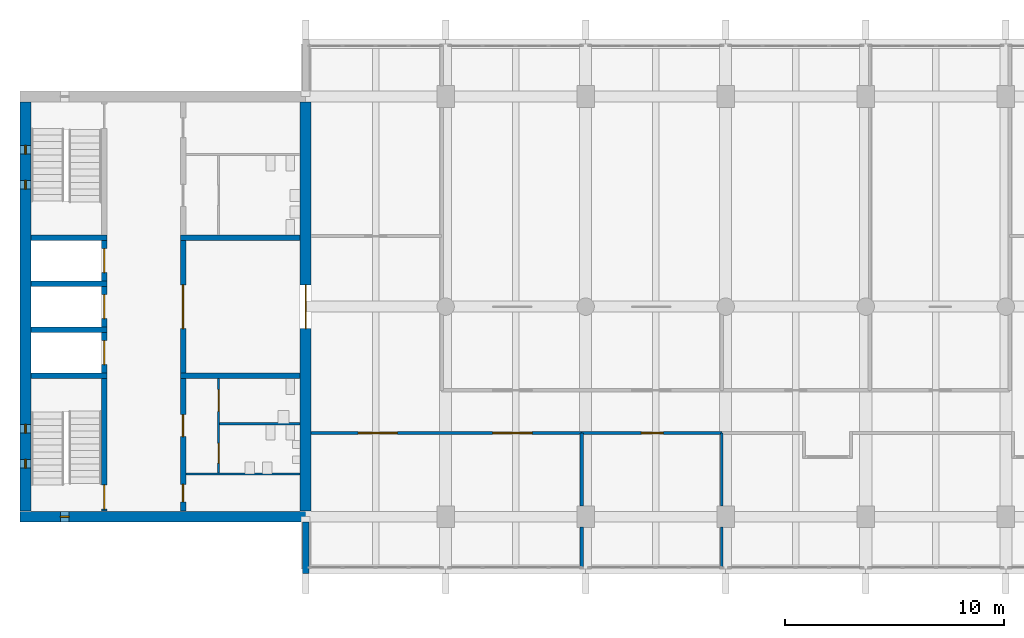
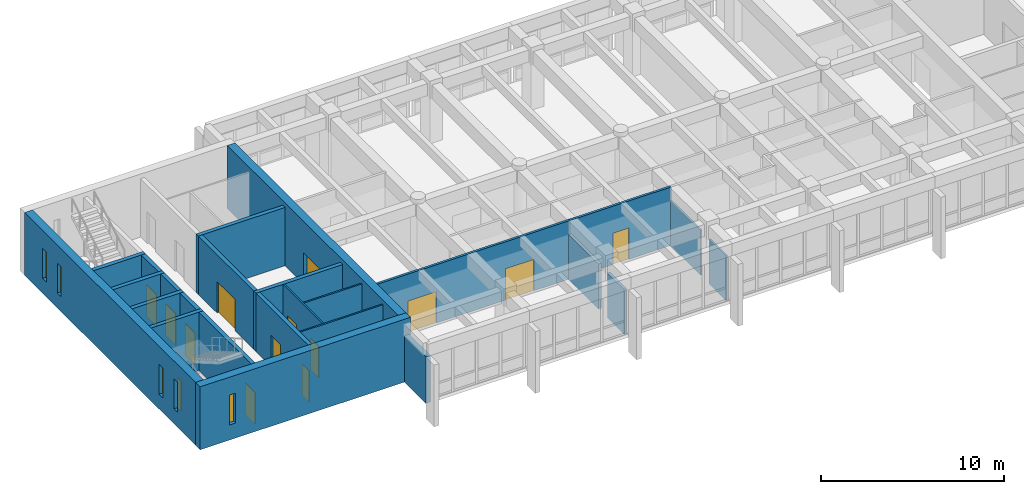
# One storey, part 9 of 15: 25 walls, 13 doors, 5 windows, 18 openings.
"""IFC4 building model written with IfcOpenShell, lengths in metres."""

from ifc_helpers import new_model, si_unit, direction, frame, frame_2d, origin, place, context, subcontext, project, spatial, rectangle, extrude, material, layer, layer_set, type_object, element, fill, save


model = new_model("IFC4")

# Units and contexts
model_context = context("Model", 3, precision=1e-05, world=origin(), true_north=direction((0.0, 1.0)))
body_context = subcontext(model_context, "Body", "Model", "MODEL_VIEW")
ifc_project = project(units=[si_unit("LENGTHUNIT", "METRE"), si_unit("AREAUNIT", "SQUARE_METRE"), si_unit("VOLUMEUNIT", "CUBIC_METRE"), si_unit("PLANEANGLEUNIT", "RADIAN"), si_unit("MASSUNIT", "GRAM", prefix="KILO")], contexts=[model_context])

# Site, building, storey
site_placement = place(None, origin())
site = spatial("IfcSite", under=ifc_project, at=site_placement, CompositionType="ELEMENT")
building_placement = place(site_placement, origin())
building = spatial("IfcBuilding", under=site, at=building_placement, Name="Fogon Plaza Fire Station and Headquarters Tower", CompositionType="ELEMENT")
storey_placement = place(building_placement, frame((0.0, 0.0, 60.0)))
storey = spatial("IfcBuildingStorey", under=building, at=storey_placement, Name="L15", CompositionType="ELEMENT", Elevation=60.0)

# Walls
ifc_material_1 = material(Name="Concrete C40", Category="concrete")
ifc_layer_1 = layer(ifc_material_1, 0.25)
ifc_layer_set_1 = layer_set([ifc_layer_1], Name="Concrete C40")
wall_type_1 = type_object("IfcWallType", Name="Core Wall RC 250", PredefinedType="SOLIDWALL", material=ifc_layer_set_1)
for number, where, z_axis, x_axis, name in (
    (1, (13.050048828125, 40.050048828125, 0.0), (0.0, 0.0, 1.0), (1.0, 0.0, 0.0), "Core A shaft wall"),
    (2, (13.050048828125, 42.14990234375, 0.0), (0.0, 0.0, 1.0), (1.0, 0.0, 0.0), "Core A shaft wall"),
    (3, (13.050048828125, 44.25, 0.0), (0.0, 0.0, 1.0), (1.0, 0.0, 0.0), "Core A shaft wall"),
    (4, (13.050048828125, 46.35009765625, 0.0), (0.0, 0.0, 1.0), (1.0, 0.0, 0.0), "Core A shaft wall"),
):
    element("IfcWall", number, at=place(storey_placement, frame(where, z_axis=z_axis, x_axis=x_axis)), inside=storey, type_object=wall_type_1, Name=name, PredefinedType="SOLIDWALL", context=body_context, shape_type="SweptSolid", body=[
        extrude(rectangle(XDim=3.474853515625, YDim=0.25, at=frame_2d((1.7373046875, 0.0))), origin(), (0.0, 0.0, 1.0), 3.89990234375),
    ])

# Wall, opening, door
wall_1_placement = place(storey_placement, frame((16.39990234375, 33.85009765625, 0.0), z_axis=(0.0, 0.0, 1.0), x_axis=(0.0, 1.0, 0.0)))
wall_1 = element("IfcWall", 5, at=wall_1_placement, inside=storey, type_object=wall_type_1, Name="Core A shaft wall", PredefinedType="SOLIDWALL", context=body_context, shape_type="SweptSolid", body=[
    extrude(rectangle(XDim=6.074951171875, YDim=0.25, at=frame_2d((3.03759765625, 0.0))), origin(), (0.0, 0.0, 1.0), 3.89990234375),
])
opening_1_placement = place(wall_1_placement, frame((0.10009765625, 0.0, 0.0)))
opening_1 = element("IfcOpeningElement", 6, at=opening_1_placement, cuts=wall_1, Name="Opening L15-D01", PredefinedType="OPENING", context=body_context, shape_type="SweptSolid", body=[
    extrude(rectangle(XDim=1.10009765625, YDim=2.10009765625, at=frame_2d((0.550048828125, 1.050048828125))), frame((0.0, 0.135009765625, 0.0), z_axis=(0.0, -1.0, 0.0), x_axis=(1.0, 0.0, 0.0)), (0.0, 0.0, 1.0), 0.27001953125),
])
ifc_material_2 = material(Name="Steel Fire Door Leaf", Category="steel")
door_type_1 = type_object("IfcDoorType", Name="Stair Door Single 1100x2100", OperationType="SINGLE_SWING_LEFT", PredefinedType="DOOR", material=ifc_material_2)
door_1_placement = place(opening_1_placement, origin())
door_1 = element("IfcDoor", 7, at=door_1_placement, inside=storey, type_object=door_type_1, Name="Stair door ST1", OperationType="SINGLE_SWING_LEFT", OverallHeight=2.10009765625, OverallWidth=1.10009765625, PredefinedType="DOOR", context=body_context, shape_type="SweptSolid", body=[
    extrude(rectangle(XDim=1.10009765625, YDim=2.10009765625, at=frame_2d((0.550048828125, 1.050048828125))), frame((0.0, 0.02490234375, 0.0), z_axis=(0.0, -1.0, 0.0), x_axis=(1.0, 0.0, 0.0)), (0.0, 0.0, 1.0), 0.050048828125),
])
fill(opening_1, door_1)

wall_2_placement = place(storey_placement, frame((16.39990234375, 40.175048828125, 0.0), z_axis=(0.0, 0.0, 1.0), x_axis=(0.0, 1.0, 0.0)))
wall_2 = element("IfcWall", 8, at=wall_2_placement, inside=storey, type_object=wall_type_1, Name="Core A shaft wall", PredefinedType="SOLIDWALL", context=body_context, shape_type="SweptSolid", body=[
    extrude(rectangle(XDim=1.849853515625, YDim=0.25, at=frame_2d((0.9248046875, 0.0))), origin(), (0.0, 0.0, 1.0), 3.89990234375),
])
opening_2_placement = place(wall_2_placement, frame((0.375, 0.0, 0.0)))
opening_2 = element("IfcOpeningElement", 9, at=opening_2_placement, cuts=wall_2, Name="Opening L15-D03", PredefinedType="OPENING", context=body_context, shape_type="SweptSolid", body=[
    extrude(rectangle(XDim=1.10009765625, YDim=2.10009765625, at=frame_2d((0.550048828125, 1.050048828125))), frame((0.0, 0.135009765625, 0.0), z_axis=(0.0, -1.0, 0.0), x_axis=(1.0, 0.0, 0.0)), (0.0, 0.0, 1.0), 0.27001953125),
])
ifc_material_3 = material(Name="Stainless Steel", Category="steel")
door_type_2 = type_object("IfcDoorType", Name="Lift Landing Door 1100x2100", OperationType="SLIDING_TO_LEFT", PredefinedType="DOOR", material=ifc_material_3)
door_2_placement = place(opening_2_placement, origin())
door_2 = element("IfcDoor", 10, at=door_2_placement, inside=storey, type_object=door_type_2, Name="Lift LP1 landing door", OperationType="SLIDING_TO_LEFT", OverallHeight=2.10009765625, OverallWidth=1.10009765625, PredefinedType="DOOR", context=body_context, shape_type="SweptSolid", body=[
    extrude(rectangle(XDim=1.10009765625, YDim=2.10009765625, at=frame_2d((0.550048828125, 1.050048828125))), frame((0.0, 0.02490234375, 0.0), z_axis=(0.0, -1.0, 0.0), x_axis=(1.0, 0.0, 0.0)), (0.0, 0.0, 1.0), 0.050048828125),
])
fill(opening_2, door_2)

wall_3_placement = place(storey_placement, frame((16.39990234375, 42.27490234375, 0.0), z_axis=(0.0, 0.0, 1.0), x_axis=(0.0, 1.0, 0.0)))
wall_3 = element("IfcWall", 11, at=wall_3_placement, inside=storey, type_object=wall_type_1, Name="Core A shaft wall", PredefinedType="SOLIDWALL", context=body_context, shape_type="SweptSolid", body=[
    extrude(rectangle(XDim=1.85009765625, YDim=0.25, at=frame_2d((0.925048828125, 0.0))), origin(), (0.0, 0.0, 1.0), 3.89990234375),
])
opening_3_placement = place(wall_3_placement, frame((0.375, 0.0, 0.0)))
opening_3 = element("IfcOpeningElement", 12, at=opening_3_placement, cuts=wall_3, Name="Opening L15-D04", PredefinedType="OPENING", context=body_context, shape_type="SweptSolid", body=[
    extrude(rectangle(XDim=1.10009765625, YDim=2.10009765625, at=frame_2d((0.550048828125, 1.050048828125))), frame((0.0, 0.135009765625, 0.0), z_axis=(0.0, -1.0, 0.0), x_axis=(1.0, 0.0, 0.0)), (0.0, 0.0, 1.0), 0.27001953125),
])
door_3_placement = place(opening_3_placement, origin())
door_3 = element("IfcDoor", 13, at=door_3_placement, inside=storey, type_object=door_type_2, Name="Lift LP2 landing door", OperationType="SLIDING_TO_LEFT", OverallHeight=2.10009765625, OverallWidth=1.10009765625, PredefinedType="DOOR", context=body_context, shape_type="SweptSolid", body=[
    extrude(rectangle(XDim=1.10009765625, YDim=2.10009765625, at=frame_2d((0.550048828125, 1.050048828125))), frame((0.0, 0.02490234375, 0.0), z_axis=(0.0, -1.0, 0.0), x_axis=(1.0, 0.0, 0.0)), (0.0, 0.0, 1.0), 0.050048828125),
])
fill(opening_3, door_3)

wall_4_placement = place(storey_placement, frame((16.39990234375, 44.375, 0.0), z_axis=(0.0, 0.0, 1.0), x_axis=(0.0, 1.0, 0.0)))
wall_4 = element("IfcWall", 14, at=wall_4_placement, inside=storey, type_object=wall_type_1, Name="Core A shaft wall", PredefinedType="SOLIDWALL", context=body_context, shape_type="SweptSolid", body=[
    extrude(rectangle(XDim=1.85009765625, YDim=0.25, at=frame_2d((0.925048828125, 0.0))), origin(), (0.0, 0.0, 1.0), 3.89990234375),
])
opening_4_placement = place(wall_4_placement, frame((0.375, 0.0, 0.0)))
opening_4 = element("IfcOpeningElement", 15, at=opening_4_placement, cuts=wall_4, Name="Opening L15-D05", PredefinedType="OPENING", context=body_context, shape_type="SweptSolid", body=[
    extrude(rectangle(XDim=1.10009765625, YDim=2.10009765625, at=frame_2d((0.550048828125, 1.050048828125))), frame((0.0, 0.135009765625, 0.0), z_axis=(0.0, -1.0, 0.0), x_axis=(1.0, 0.0, 0.0)), (0.0, 0.0, 1.0), 0.27001953125),
])
door_4_placement = place(opening_4_placement, origin())
door_4 = element("IfcDoor", 16, at=door_4_placement, inside=storey, type_object=door_type_2, Name="Lift FL1 landing door", OperationType="SLIDING_TO_LEFT", OverallHeight=2.10009765625, OverallWidth=1.10009765625, PredefinedType="DOOR", context=body_context, shape_type="SweptSolid", body=[
    extrude(rectangle(XDim=1.10009765625, YDim=2.10009765625, at=frame_2d((0.550048828125, 1.050048828125))), frame((0.0, 0.02490234375, 0.0), z_axis=(0.0, -1.0, 0.0), x_axis=(1.0, 0.0, 0.0)), (0.0, 0.0, 1.0), 0.050048828125),
])
fill(opening_4, door_4)

# Wall, openings, doors
wall_5_placement = place(storey_placement, frame((20.0, 33.85009765625, 0.0), z_axis=(0.0, 0.0, 1.0), x_axis=(0.0, 1.0, 0.0)))
wall_5 = element("IfcWall", 17, at=wall_5_placement, inside=storey, type_object=wall_type_1, Name="Core A shaft wall", PredefinedType="SOLIDWALL", context=body_context, shape_type="SweptSolid", body=[
    extrude(rectangle(XDim=6.074951171875, YDim=0.25, at=frame_2d((3.03759765625, 0.0))), origin(), (0.0, 0.0, 1.0), 3.89990234375),
])
opening_5_placement = place(wall_5_placement, frame((0.425048828125, 0.0, 0.0)))
opening_5 = element("IfcOpeningElement", 18, at=opening_5_placement, cuts=wall_5, Name="Opening L15-D08", PredefinedType="OPENING", context=body_context, shape_type="SweptSolid", body=[
    extrude(rectangle(XDim=0.800048828125, YDim=2.10009765625, at=frame_2d((0.39990234375, 1.050048828125))), frame((0.0, 0.135009765625, 0.0), z_axis=(0.0, -1.0, 0.0), x_axis=(1.0, 0.0, 0.0)), (0.0, 0.0, 1.0), 0.27001953125),
])
opening_6_placement = place(wall_5_placement, frame((3.41259765625, 0.0, 0.0)))
opening_6 = element("IfcOpeningElement", 19, at=opening_6_placement, cuts=wall_5, Name="Opening L15-D09", PredefinedType="OPENING", context=body_context, shape_type="SweptSolid", body=[
    extrude(rectangle(XDim=1.0, YDim=2.10009765625, at=frame_2d((0.5, 1.050048828125))), frame((0.0, 0.135009765625, 0.0), z_axis=(0.0, -1.0, 0.0), x_axis=(1.0, 0.0, 0.0)), (0.0, 0.0, 1.0), 0.27001953125),
])
ifc_material_4 = material(Name="Timber Door Leaf", Category="wood")
door_type_3 = type_object("IfcDoorType", Name="Cleaner Store Single 800x2100", OperationType="SINGLE_SWING_LEFT", PredefinedType="DOOR", material=ifc_material_4)
door_5_placement = place(opening_5_placement, frame((0.800048828125, 0.0, 0.0), z_axis=(0.0, 0.0, 1.0), x_axis=(-1.0, 0.0, 0.0)))
door_5 = element("IfcDoor", 20, at=door_5_placement, inside=storey, type_object=door_type_3, Name="Cleaner's store A door", OperationType="SINGLE_SWING_LEFT", OverallHeight=2.10009765625, OverallWidth=0.800048828125, PredefinedType="DOOR", context=body_context, shape_type="SweptSolid", body=[
    extrude(rectangle(XDim=0.800048828125, YDim=2.10009765625, at=frame_2d((0.39990234375, 1.050048828125))), frame((0.0, 0.02490234375, 0.0), z_axis=(0.0, -1.0, 0.0), x_axis=(1.0, 0.0, 0.0)), (0.0, 0.0, 1.0), 0.050048828125),
])
fill(opening_5, door_5)
ifc_material_5 = material(Name="Timber fire door", Category="wood")
door_type_4 = type_object("IfcDoorType", Name="WC Lobby Single 1000x2100", OperationType="SINGLE_SWING_LEFT", PredefinedType="DOOR", material=ifc_material_5)
door_6_placement = place(opening_6_placement, frame((1.0, 0.0, 0.0), z_axis=(0.0, 0.0, 1.0), x_axis=(-1.0, 0.0, 0.0)))
door_6 = element("IfcDoor", 21, at=door_6_placement, inside=storey, type_object=door_type_4, Name="Men's WC lobby A door", OperationType="SINGLE_SWING_RIGHT", OverallHeight=2.10009765625, OverallWidth=1.0, PredefinedType="DOOR", context=body_context, shape_type="SweptSolid", body=[
    extrude(rectangle(XDim=1.0, YDim=2.10009765625, at=frame_2d((0.5, 1.050048828125))), frame((0.0, 0.02490234375, 0.0), z_axis=(0.0, -1.0, 0.0), x_axis=(1.0, 0.0, 0.0)), (0.0, 0.0, 1.0), 0.050048828125),
])
fill(opening_6, door_6)

# Wall, opening, door
wall_6_placement = place(storey_placement, frame((20.0, 40.175048828125, 0.0), z_axis=(0.0, 0.0, 1.0), x_axis=(0.0, 1.0, 0.0)))
wall_6 = element("IfcWall", 22, at=wall_6_placement, inside=storey, type_object=wall_type_1, Name="Core A shaft wall", PredefinedType="SOLIDWALL", context=body_context, shape_type="SweptSolid", body=[
    extrude(rectangle(XDim=6.050048828125, YDim=0.25, at=frame_2d((3.02490234375, 0.0))), origin(), (0.0, 0.0, 1.0), 3.89990234375),
])
opening_7_placement = place(wall_6_placement, frame((2.02490234375, 0.0, 0.0)))
opening_7 = element("IfcOpeningElement", 23, at=opening_7_placement, cuts=wall_6, Name="Opening L15-D06", PredefinedType="OPENING", context=body_context, shape_type="SweptSolid", body=[
    extrude(rectangle(XDim=2.0, YDim=2.10009765625, at=frame_2d((1.0, 1.050048828125))), frame((0.0, 0.135009765625, 0.0), z_axis=(0.0, -1.0, 0.0), x_axis=(1.0, 0.0, 0.0)), (0.0, 0.0, 1.0), 0.27001953125),
])
ifc_material_6 = material(Name="Steel Fire Door Leaf", Category="steel")
door_type_5 = type_object("IfcDoorType", Name="Vestibule Double 2000x2100", OperationType="DOUBLE_DOOR_SINGLE_SWING", PredefinedType="DOOR", material=ifc_material_6)
door_7_placement = place(opening_7_placement, frame((2.0, 0.0, 0.0), z_axis=(0.0, 0.0, 1.0), x_axis=(-1.0, 0.0, 0.0)))
door_7 = element("IfcDoor", 24, at=door_7_placement, inside=storey, type_object=door_type_5, Name="Vestibule A door", OperationType="DOUBLE_DOOR_SINGLE_SWING", OverallHeight=2.10009765625, OverallWidth=2.0, PredefinedType="DOOR", context=body_context, shape_type="SweptSolid", body=[
    extrude(rectangle(XDim=2.0, YDim=2.10009765625, at=frame_2d((1.0, 1.050048828125))), frame((0.0, 0.02490234375, 0.0), z_axis=(0.0, -1.0, 0.0), x_axis=(1.0, 0.0, 0.0)), (0.0, 0.0, 1.0), 0.050048828125),
])
fill(opening_7, door_7)

# Walls
for number, where, z_axis, x_axis, name in (
    (25, (19.875, 40.050048828125, 0.0), (0.0, 0.0, 1.0), (1.0, 0.0, 0.0), "Core A shaft wall"),
    (26, (19.875, 46.35009765625, 0.0), (0.0, 0.0, 1.0), (1.0, 0.0, 0.0), "Core A shaft wall"),
):
    element("IfcWall", number, at=place(storey_placement, frame(where, z_axis=z_axis, x_axis=x_axis)), inside=storey, type_object=wall_type_1, Name=name, PredefinedType="SOLIDWALL", context=body_context, shape_type="SweptSolid", body=[
        extrude(rectangle(XDim=5.47509765625, YDim=0.25, at=frame_2d((2.737548828125, 0.0))), origin(), (0.0, 0.0, 1.0), 3.89990234375),
    ])
ifc_material_7 = material(Name="Concrete C40", Category="concrete")
ifc_layer_2 = layer(ifc_material_7, 0.300048828125)
ifc_layer_set_2 = layer_set([ifc_layer_2], Name="Concrete C40")
wall_type_2 = type_object("IfcWallType", Name="Fair-faced RC Return Panel 300", PredefinedType="SOLIDWALL", material=ifc_layer_set_2)
wall_7_placement = place(storey_placement, frame((25.60009765625, 31.0, 0.0), z_axis=(0.0, 0.0, 1.0), x_axis=(0.0, 1.0, 0.0)))
element("IfcWall", 27, at=wall_7_placement, inside=storey, type_object=wall_type_2, Name="Bar end return WS L15", PredefinedType="SOLIDWALL", context=body_context, shape_type="SweptSolid", body=[
    extrude(rectangle(XDim=2.35009765625, YDim=0.300048828125, at=frame_2d((1.175048828125, 0.0))), origin(), (0.0, 0.0, 1.0), 3.10009765625),
])
ifc_material_8 = material(Name="Blockwork", Category="masonry")
ifc_layer_3 = layer(ifc_material_8, 0.10009765625)
ifc_layer_set_3 = layer_set([ifc_layer_3], Name="Blockwork")
wall_type_3 = type_object("IfcWallType", Name="Partition Blockwork 100", PredefinedType="PARTITIONING", material=ifc_layer_set_3)
wall_8_placement = place(storey_placement, frame((20.125, 35.550048828125, 0.0), z_axis=(0.0, 0.0, 1.0), x_axis=(1.0, 0.0, 0.0)))
element("IfcWall", 28, at=wall_8_placement, inside=storey, type_object=wall_type_3, Name="Cleaner's store partition", PredefinedType="PARTITIONING", context=body_context, shape_type="SweptSolid", body=[
    extrude(rectangle(XDim=5.22509765625, YDim=0.10009765625, at=frame_2d((2.612548828125, 0.0))), origin(), (0.0, 0.0, 1.0), 3.89990234375),
])

# Wall, openings, doors
wall_9_placement = place(storey_placement, frame((21.625, 35.60009765625, 0.0), z_axis=(0.0, 0.0, 1.0), x_axis=(0.0, 1.0, 0.0)))
wall_9 = element("IfcWall", 29, at=wall_9_placement, inside=storey, type_object=wall_type_3, Name="WC block partition", PredefinedType="PARTITIONING", context=body_context, shape_type="SweptSolid", body=[
    extrude(rectangle(XDim=4.324951171875, YDim=0.10009765625, at=frame_2d((2.16259765625, 0.0))), origin(), (0.0, 0.0, 1.0), 3.89990234375),
])
opening_8_placement = place(wall_9_placement, frame((0.449951171875, 0.0, 0.0)))
opening_8 = element("IfcOpeningElement", 30, at=opening_8_placement, cuts=wall_9, Name="Opening L15-D10", PredefinedType="OPENING", context=body_context, shape_type="SweptSolid", body=[
    extrude(rectangle(XDim=0.89990234375, YDim=2.10009765625, at=frame_2d((0.449951171875, 1.050048828125))), frame((0.0, 0.06005859375, 0.0), z_axis=(0.0, -1.0, 0.0), x_axis=(1.0, 0.0, 0.0)), (0.0, 0.0, 1.0), 0.1201171875),
])
opening_9_placement = place(wall_9_placement, frame((2.8125, 0.0, 0.0)))
opening_9 = element("IfcOpeningElement", 31, at=opening_9_placement, cuts=wall_9, Name="Opening L15-D11", PredefinedType="OPENING", context=body_context, shape_type="SweptSolid", body=[
    extrude(rectangle(XDim=1.0, YDim=2.10009765625, at=frame_2d((0.5, 1.050048828125))), frame((0.0, 0.06005859375, 0.0), z_axis=(0.0, -1.0, 0.0), x_axis=(1.0, 0.0, 0.0)), (0.0, 0.0, 1.0), 0.1201171875),
])
ifc_material_9 = material(Name="Timber Door Leaf", Category="wood")
door_type_6 = type_object("IfcDoorType", Name="Accessible WC Single 1000x2100", OperationType="SINGLE_SWING_LEFT", PredefinedType="DOOR", material=ifc_material_9)
door_8_placement = place(opening_9_placement, frame((1.0, 0.0, 0.0), z_axis=(0.0, 0.0, 1.0), x_axis=(-1.0, 0.0, 0.0)))
door_8 = element("IfcDoor", 32, at=door_8_placement, inside=storey, type_object=door_type_6, Name="Accessible WC A door", OperationType="SINGLE_SWING_RIGHT", OverallHeight=2.10009765625, OverallWidth=1.0, PredefinedType="DOOR", context=body_context, shape_type="SweptSolid", body=[
    extrude(rectangle(XDim=1.0, YDim=2.10009765625, at=frame_2d((0.5, 1.050048828125))), frame((0.0, 0.02490234375, 0.0), z_axis=(0.0, -1.0, 0.0), x_axis=(1.0, 0.0, 0.0)), (0.0, 0.0, 1.0), 0.050048828125),
])
fill(opening_9, door_8)
ifc_material_10 = material(Name="Timber Door Leaf", Category="wood")
door_type_7 = type_object("IfcDoorType", Name="WC Single 900x2100", OperationType="SINGLE_SWING_LEFT", PredefinedType="DOOR", material=ifc_material_10)
door_9_placement = place(opening_8_placement, frame((0.89990234375, 0.0, 0.0), z_axis=(0.0, 0.0, 1.0), x_axis=(-1.0, 0.0, 0.0)))
door_9 = element("IfcDoor", 33, at=door_9_placement, inside=storey, type_object=door_type_7, Name="Men's WC A door", OperationType="SINGLE_SWING_RIGHT", OverallHeight=2.10009765625, OverallWidth=0.89990234375, PredefinedType="DOOR", context=body_context, shape_type="SweptSolid", body=[
    extrude(rectangle(XDim=0.89990234375, YDim=2.10009765625, at=frame_2d((0.449951171875, 1.050048828125))), frame((0.0, 0.02490234375, 0.0), z_axis=(0.0, -1.0, 0.0), x_axis=(1.0, 0.0, 0.0)), (0.0, 0.0, 1.0), 0.050048828125),
])
fill(opening_8, door_9)

# Wall
wall_10_placement = place(storey_placement, frame((21.675048828125, 37.85009765625, 0.0), z_axis=(0.0, 0.0, 1.0), x_axis=(1.0, 0.0, 0.0)))
element("IfcWall", 34, at=wall_10_placement, inside=storey, type_object=wall_type_3, Name="WC block partition", PredefinedType="PARTITIONING", context=body_context, shape_type="SweptSolid", body=[
    extrude(rectangle(XDim=3.675048828125, YDim=0.10009765625, at=frame_2d((1.83740234375, 0.0))), origin(), (0.0, 0.0, 1.0), 3.89990234375),
])

# Wall, opening, window
ifc_material_11 = material(Name="Concrete C40", Category="concrete")
ifc_layer_4 = layer(ifc_material_11, 0.5)
ifc_layer_set_4 = layer_set([ifc_layer_4], Name="Concrete C40")
wall_type_4 = type_object("IfcWallType", Name="Shear wall 500 SW50", PredefinedType="SHEAR", material=ifc_layer_set_4)
wall_11_placement = place(storey_placement, frame((12.550048828125, 33.60009765625, 0.0), z_axis=(0.0, 0.0, 1.0), x_axis=(1.0, 0.0, 0.0)))
wall_11 = element("IfcWall", 35, at=wall_11_placement, inside=storey, type_object=wall_type_4, Name="wall-coreA-S-L15", PredefinedType="SHEAR", context=body_context, shape_type="SweptSolid", body=[
    extrude(rectangle(XDim=13.300048828125, YDim=0.5, at=frame_2d((6.64990234375, 0.0))), origin(), (0.0, 0.0, 1.0), 4.199951171875),
])
opening_10_placement = place(wall_11_placement, frame((1.85009765625, 0.0, 1.0)))
opening_10 = element("IfcOpeningElement", 36, at=opening_10_placement, cuts=wall_11, Name="Opening WS1", PredefinedType="OPENING", context=body_context, shape_type="SweptSolid", body=[
    extrude(rectangle(XDim=0.39990234375, YDim=2.0, at=frame_2d((0.199951171875, 1.0))), frame((0.0, 0.260009765625, 0.0), z_axis=(0.0, -1.0, 0.0), x_axis=(1.0, 0.0, 0.0)), (0.0, 0.0, 1.0), 0.52001953125),
])
ifc_material_12 = material(Name="Aluminium framed double glazing", Category="aluminium")
window_type = type_object("IfcWindowType", Name="Slit Window WS1 400x2000", PartitioningType="SINGLE_PANEL", PredefinedType="WINDOW", material=ifc_material_12)
window_1_placement = place(opening_10_placement, origin())
window_1 = element("IfcWindow", 37, at=window_1_placement, inside=storey, type_object=window_type, Name="Slit window A5 L15", OverallHeight=2.0, OverallWidth=0.39990234375, PartitioningType="SINGLE_PANEL", PredefinedType="WINDOW", context=body_context, shape_type="SweptSolid", body=[
    extrude(rectangle(XDim=0.39990234375, YDim=2.0, at=frame_2d((0.199951171875, 1.0))), frame((0.0, 0.030029296875, 0.0), z_axis=(0.0, -1.0, 0.0), x_axis=(1.0, 0.0, 0.0)), (0.0, 0.0, 1.0), 0.06005859375),
])
fill(opening_10, window_1)

# Wall, opening, door
wall_12_placement = place(storey_placement, frame((25.60009765625, 33.85009765625, 0.0), z_axis=(0.0, 0.0, 1.0), x_axis=(0.0, 1.0, 0.0)))
wall_12 = element("IfcWall", 38, at=wall_12_placement, inside=storey, type_object=wall_type_4, Name="wall-coreA-E-L15", PredefinedType="SHEAR", context=body_context, shape_type="SweptSolid", body=[
    extrude(rectangle(XDim=18.699951171875, YDim=0.5, at=frame_2d((9.35009765625, 0.0))), origin(), (0.0, 0.0, 1.0), 4.199951171875),
])
opening_11_placement = place(wall_12_placement, frame((8.35009765625, 0.0, 0.0)))
opening_11 = element("IfcOpeningElement", 39, at=opening_11_placement, cuts=wall_12, Name="Opening L15-D07", PredefinedType="OPENING", context=body_context, shape_type="SweptSolid", body=[
    extrude(rectangle(XDim=2.0, YDim=2.10009765625, at=frame_2d((1.0, 1.050048828125))), frame((0.0, 0.260009765625, 0.0), z_axis=(0.0, -1.0, 0.0), x_axis=(1.0, 0.0, 0.0)), (0.0, 0.0, 1.0), 0.52001953125),
])
door_10_placement = place(opening_11_placement, origin())
door_10 = element("IfcDoor", 40, at=door_10_placement, inside=storey, type_object=door_type_5, Name="Vestibule A door to the office zone", OperationType="DOUBLE_DOOR_SINGLE_SWING", OverallHeight=2.10009765625, OverallWidth=2.0, PredefinedType="DOOR", context=body_context, shape_type="SweptSolid", body=[
    extrude(rectangle(XDim=2.0, YDim=2.10009765625, at=frame_2d((1.0, 1.050048828125))), frame((0.0, 0.02490234375, 0.0), z_axis=(0.0, -1.0, 0.0), x_axis=(1.0, 0.0, 0.0)), (0.0, 0.0, 1.0), 0.050048828125),
])
fill(opening_11, door_10)

# Wall, openings, windows
wall_13_placement = place(storey_placement, frame((12.800048828125, 33.85009765625, 0.0), z_axis=(0.0, 0.0, 1.0), x_axis=(0.0, 1.0, 0.0)))
wall_13 = element("IfcWall", 41, at=wall_13_placement, inside=storey, type_object=wall_type_4, Name="wall-coreA-W-L15", PredefinedType="SHEAR", context=body_context, shape_type="SweptSolid", body=[
    extrude(rectangle(XDim=18.699951171875, YDim=0.5, at=frame_2d((9.35009765625, 0.0))), origin(), (0.0, 0.0, 1.0), 4.199951171875),
])
opening_12_placement = place(wall_13_placement, frame((1.97509765625, 0.0, 1.0)))
opening_12 = element("IfcOpeningElement", 42, at=opening_12_placement, cuts=wall_13, Name="Opening WS1", PredefinedType="OPENING", context=body_context, shape_type="SweptSolid", body=[
    extrude(rectangle(XDim=0.39990234375, YDim=2.0, at=frame_2d((0.199951171875, 1.0))), frame((0.0, 0.260009765625, 0.0), z_axis=(0.0, -1.0, 0.0), x_axis=(1.0, 0.0, 0.0)), (0.0, 0.0, 1.0), 0.52001953125),
])
opening_13_placement = place(wall_13_placement, frame((3.574951171875, 0.0, 1.0)))
opening_13 = element("IfcOpeningElement", 43, at=opening_13_placement, cuts=wall_13, Name="Opening WS1", PredefinedType="OPENING", context=body_context, shape_type="SweptSolid", body=[
    extrude(rectangle(XDim=0.39990234375, YDim=2.0, at=frame_2d((0.199951171875, 1.0))), frame((0.0, 0.260009765625, 0.0), z_axis=(0.0, -1.0, 0.0), x_axis=(1.0, 0.0, 0.0)), (0.0, 0.0, 1.0), 0.52001953125),
])
opening_14_placement = place(wall_13_placement, frame((14.72509765625, 0.0, 1.0)))
opening_14 = element("IfcOpeningElement", 44, at=opening_14_placement, cuts=wall_13, Name="Opening WS1", PredefinedType="OPENING", context=body_context, shape_type="SweptSolid", body=[
    extrude(rectangle(XDim=0.39990234375, YDim=2.0, at=frame_2d((0.199951171875, 1.0))), frame((0.0, 0.260009765625, 0.0), z_axis=(0.0, -1.0, 0.0), x_axis=(1.0, 0.0, 0.0)), (0.0, 0.0, 1.0), 0.52001953125),
])
opening_15_placement = place(wall_13_placement, frame((16.324951171875, 0.0, 1.0)))
opening_15 = element("IfcOpeningElement", 45, at=opening_15_placement, cuts=wall_13, Name="Opening WS1", PredefinedType="OPENING", context=body_context, shape_type="SweptSolid", body=[
    extrude(rectangle(XDim=0.39990234375, YDim=2.0, at=frame_2d((0.199951171875, 1.0))), frame((0.0, 0.260009765625, 0.0), z_axis=(0.0, -1.0, 0.0), x_axis=(1.0, 0.0, 0.0)), (0.0, 0.0, 1.0), 0.52001953125),
])
window_2_placement = place(opening_12_placement, origin())
window_2 = element("IfcWindow", 46, at=window_2_placement, inside=storey, type_object=window_type, Name="Slit window A1 L15", OverallHeight=2.0, OverallWidth=0.39990234375, PartitioningType="SINGLE_PANEL", PredefinedType="WINDOW", context=body_context, shape_type="SweptSolid", body=[
    extrude(rectangle(XDim=0.39990234375, YDim=2.0, at=frame_2d((0.199951171875, 1.0))), frame((0.0, 0.030029296875, 0.0), z_axis=(0.0, -1.0, 0.0), x_axis=(1.0, 0.0, 0.0)), (0.0, 0.0, 1.0), 0.06005859375),
])
fill(opening_12, window_2)
window_3_placement = place(opening_13_placement, origin())
window_3 = element("IfcWindow", 47, at=window_3_placement, inside=storey, type_object=window_type, Name="Slit window A2 L15", OverallHeight=2.0, OverallWidth=0.39990234375, PartitioningType="SINGLE_PANEL", PredefinedType="WINDOW", context=body_context, shape_type="SweptSolid", body=[
    extrude(rectangle(XDim=0.39990234375, YDim=2.0, at=frame_2d((0.199951171875, 1.0))), frame((0.0, 0.030029296875, 0.0), z_axis=(0.0, -1.0, 0.0), x_axis=(1.0, 0.0, 0.0)), (0.0, 0.0, 1.0), 0.06005859375),
])
fill(opening_13, window_3)
window_4_placement = place(opening_14_placement, origin())
window_4 = element("IfcWindow", 48, at=window_4_placement, inside=storey, type_object=window_type, Name="Slit window A3 L15", OverallHeight=2.0, OverallWidth=0.39990234375, PartitioningType="SINGLE_PANEL", PredefinedType="WINDOW", context=body_context, shape_type="SweptSolid", body=[
    extrude(rectangle(XDim=0.39990234375, YDim=2.0, at=frame_2d((0.199951171875, 1.0))), frame((0.0, 0.030029296875, 0.0), z_axis=(0.0, -1.0, 0.0), x_axis=(1.0, 0.0, 0.0)), (0.0, 0.0, 1.0), 0.06005859375),
])
fill(opening_14, window_4)
window_5_placement = place(opening_15_placement, origin())
window_5 = element("IfcWindow", 49, at=window_5_placement, inside=storey, type_object=window_type, Name="Slit window A4 L15", OverallHeight=2.0, OverallWidth=0.39990234375, PartitioningType="SINGLE_PANEL", PredefinedType="WINDOW", context=body_context, shape_type="SweptSolid", body=[
    extrude(rectangle(XDim=0.39990234375, YDim=2.0, at=frame_2d((0.199951171875, 1.0))), frame((0.0, 0.030029296875, 0.0), z_axis=(0.0, -1.0, 0.0), x_axis=(1.0, 0.0, 0.0)), (0.0, 0.0, 1.0), 0.06005859375),
])
fill(opening_15, window_5)

# Walls
ifc_material_13 = material(Name="Double gypsum board on twin steel stud", Category="steel")
ifc_layer_5 = layer(ifc_material_13, 0.175048828125)
ifc_layer_set_5 = layer_set([ifc_layer_5], Name="Double gypsum board on twin steel stud")
wall_type_5 = type_object("IfcWallType", Name="Tower acoustic partition 175 Beam Head 900", PredefinedType="PARTITIONING", material=ifc_layer_set_5)
wall_14_placement = place(storey_placement, frame((38.219970703125, 31.300048828125, 0.0), z_axis=(0.0, 0.0, 1.0), x_axis=(0.0, 1.0, 0.0)))
element("IfcWall", 50, at=wall_14_placement, inside=storey, type_object=wall_type_5, Name="part-L15-04", PredefinedType="PARTITIONING", context=body_context, shape_type="SweptSolid", body=[
    extrude(rectangle(XDim=1.820068359375, YDim=0.175048828125, at=frame_2d((0.91015625, 0.0))), origin(), (0.0, 0.0, 1.0), 3.0),
])
wall_15_placement = place(storey_placement, frame((38.219970703125, 34.080078125, 0.0), z_axis=(0.0, 0.0, 1.0), x_axis=(0.0, 1.0, 0.0)))
element("IfcWall", 51, at=wall_15_placement, inside=storey, type_object=wall_type_5, Name="part-L15-05", PredefinedType="PARTITIONING", context=body_context, shape_type="SweptSolid", body=[
    extrude(rectangle(XDim=3.344970703125, YDim=0.175048828125, at=frame_2d((1.67236328125, 0.0))), origin(), (0.0, 0.0, 1.0), 3.0),
])

# Wall, openings, doors
ifc_material_14 = material(Name="Gypsum board on steel stud", Category="steel")
ifc_layer_6 = layer(ifc_material_14, 0.14990234375)
ifc_layer_set_6 = layer_set([ifc_layer_6], Name="Gypsum board on steel stud")
wall_type_6 = type_object("IfcWallType", Name="Tower corridor partition 150 EI 60", PredefinedType="PARTITIONING", material=ifc_layer_set_6)
wall_16_placement = place(storey_placement, frame((25.85009765625, 37.425048828125, 0.0), z_axis=(0.0, 0.0, 1.0), x_axis=(1.0, 0.0, 0.0)))
wall_16 = element("IfcWall", 52, at=wall_16_placement, inside=storey, type_object=wall_type_6, Name="part-L15-01", PredefinedType="PARTITIONING", context=body_context, shape_type="SweptSolid", body=[
    extrude(rectangle(XDim=12.369873046875, YDim=0.14990234375, at=frame_2d((6.18505859375, 0.0))), origin(), (0.0, 0.0, 1.0), 3.89990234375),
])
opening_16_placement = place(wall_16_placement, frame((2.14990234375, 0.0, 0.0)))
opening_16 = element("IfcOpeningElement", 53, at=opening_16_placement, cuts=wall_16, Name="Opening L15-D29", PredefinedType="OPENING", context=body_context, shape_type="SweptSolid", body=[
    extrude(rectangle(XDim=1.800048828125, YDim=2.10009765625, at=frame_2d((0.89990234375, 1.050048828125))), frame((0.0, 0.0849609375, 0.0), z_axis=(0.0, -1.0, 0.0), x_axis=(1.0, 0.0, 0.0)), (0.0, 0.0, 1.0), 0.169921875),
])
opening_17_placement = place(wall_16_placement, frame((8.300048828125, 0.0, 0.0)))
opening_17 = element("IfcOpeningElement", 54, at=opening_17_placement, cuts=wall_16, Name="Opening L15-D30", PredefinedType="OPENING", context=body_context, shape_type="SweptSolid", body=[
    extrude(rectangle(XDim=1.800048828125, YDim=2.10009765625, at=frame_2d((0.89990234375, 1.050048828125))), frame((0.0, 0.0849609375, 0.0), z_axis=(0.0, -1.0, 0.0), x_axis=(1.0, 0.0, 0.0)), (0.0, 0.0, 1.0), 0.169921875),
])
ifc_material_15 = material(Name="Timber fire door", Category="wood")
door_type_8 = type_object("IfcDoorType", Name="Tower fire door double 1800 EI 20", OperationType="DOUBLE_DOOR_SINGLE_SWING", PredefinedType="DOOR", material=ifc_material_15)
door_11_placement = place(opening_16_placement, frame((1.800048828125, 0.0, 0.0), z_axis=(0.0, 0.0, 1.0), x_axis=(-1.0, 0.0, 0.0)))
door_11 = element("IfcDoor", 55, at=door_11_placement, inside=storey, type_object=door_type_8, Name="door-L15-01", OperationType="DOUBLE_DOOR_SINGLE_SWING", OverallHeight=2.10009765625, OverallWidth=1.800048828125, PredefinedType="DOOR", context=body_context, shape_type="SweptSolid", body=[
    extrude(rectangle(XDim=1.800048828125, YDim=2.10009765625, at=frame_2d((0.89990234375, 1.050048828125))), frame((0.0, 0.02490234375, 0.0), z_axis=(0.0, -1.0, 0.0), x_axis=(1.0, 0.0, 0.0)), (0.0, 0.0, 1.0), 0.050048828125),
])
fill(opening_16, door_11)
door_12_placement = place(opening_17_placement, frame((1.800048828125, 0.0, 0.0), z_axis=(0.0, 0.0, 1.0), x_axis=(-1.0, 0.0, 0.0)))
door_12 = element("IfcDoor", 56, at=door_12_placement, inside=storey, type_object=door_type_8, Name="door-L15-02", OperationType="DOUBLE_DOOR_SINGLE_SWING", OverallHeight=2.10009765625, OverallWidth=1.800048828125, PredefinedType="DOOR", context=body_context, shape_type="SweptSolid", body=[
    extrude(rectangle(XDim=1.800048828125, YDim=2.10009765625, at=frame_2d((0.89990234375, 1.050048828125))), frame((0.0, 0.02490234375, 0.0), z_axis=(0.0, -1.0, 0.0), x_axis=(1.0, 0.0, 0.0)), (0.0, 0.0, 1.0), 0.050048828125),
])
fill(opening_17, door_12)

# Wall, opening, door
wall_17_placement = place(storey_placement, frame((38.219970703125, 37.425048828125, 0.0), z_axis=(0.0, 0.0, 1.0), x_axis=(1.0, 0.0, 0.0)))
wall_17 = element("IfcWall", 57, at=wall_17_placement, inside=storey, type_object=wall_type_6, Name="part-L15-02", PredefinedType="PARTITIONING", context=body_context, shape_type="SweptSolid", body=[
    extrude(rectangle(XDim=6.400146484375, YDim=0.14990234375, at=frame_2d((3.2001953125, 0.0))), origin(), (0.0, 0.0, 1.0), 3.89990234375),
])
opening_18_placement = place(wall_17_placement, frame((2.72998046875, 0.0, 0.0)))
opening_18 = element("IfcOpeningElement", 58, at=opening_18_placement, cuts=wall_17, Name="Opening L15-D31", PredefinedType="OPENING", context=body_context, shape_type="SweptSolid", body=[
    extrude(rectangle(XDim=1.0, YDim=2.10009765625, at=frame_2d((0.5, 1.050048828125))), frame((0.0, 0.0849609375, 0.0), z_axis=(0.0, -1.0, 0.0), x_axis=(1.0, 0.0, 0.0)), (0.0, 0.0, 1.0), 0.169921875),
])
ifc_material_16 = material(Name="Timber fire door", Category="wood")
door_type_9 = type_object("IfcDoorType", Name="Tower fire door single 1000 EI 20", OperationType="SINGLE_SWING_LEFT", PredefinedType="DOOR", material=ifc_material_16)
door_13_placement = place(opening_18_placement, frame((1.0, 0.0, 0.0), z_axis=(0.0, 0.0, 1.0), x_axis=(-1.0, 0.0, 0.0)))
door_13 = element("IfcDoor", 59, at=door_13_placement, inside=storey, type_object=door_type_9, Name="door-L15-03", OperationType="SINGLE_SWING_LEFT", OverallHeight=2.10009765625, OverallWidth=1.0, PredefinedType="DOOR", context=body_context, shape_type="SweptSolid", body=[
    extrude(rectangle(XDim=1.0, YDim=2.10009765625, at=frame_2d((0.5, 1.050048828125))), frame((0.0, 0.02490234375, 0.0), z_axis=(0.0, -1.0, 0.0), x_axis=(1.0, 0.0, 0.0)), (0.0, 0.0, 1.0), 0.050048828125),
])
fill(opening_18, door_13)

# Walls
ifc_material_17 = material(Name="Gypsum board on steel stud", Category="steel")
ifc_layer_7 = layer(ifc_material_17, 0.10009765625)
ifc_layer_set_7 = layer_set([ifc_layer_7], Name="Gypsum board on steel stud")
wall_type_7 = type_object("IfcWallType", Name="Tower office partition 100 Beam Head 900", PredefinedType="PARTITIONING", material=ifc_layer_set_7)
wall_18_placement = place(storey_placement, frame((44.6201171875, 31.300048828125, 0.0), z_axis=(0.0, 0.0, 1.0), x_axis=(0.0, 1.0, 0.0)))
element("IfcWall", 60, at=wall_18_placement, inside=storey, type_object=wall_type_7, Name="part-L15-06", PredefinedType="PARTITIONING", context=body_context, shape_type="SweptSolid", body=[
    extrude(rectangle(XDim=1.820068359375, YDim=0.10009765625, at=frame_2d((0.91015625, 0.0))), origin(), (0.0, 0.0, 1.0), 3.0),
])
wall_19_placement = place(storey_placement, frame((44.6201171875, 34.080078125, 0.0), z_axis=(0.0, 0.0, 1.0), x_axis=(0.0, 1.0, 0.0)))
element("IfcWall", 61, at=wall_19_placement, inside=storey, type_object=wall_type_7, Name="part-L15-07", PredefinedType="PARTITIONING", context=body_context, shape_type="SweptSolid", body=[
    extrude(rectangle(XDim=3.344970703125, YDim=0.10009765625, at=frame_2d((1.67236328125, 0.0))), origin(), (0.0, 0.0, 1.0), 3.0),
])

save(model, "model.ifc")
